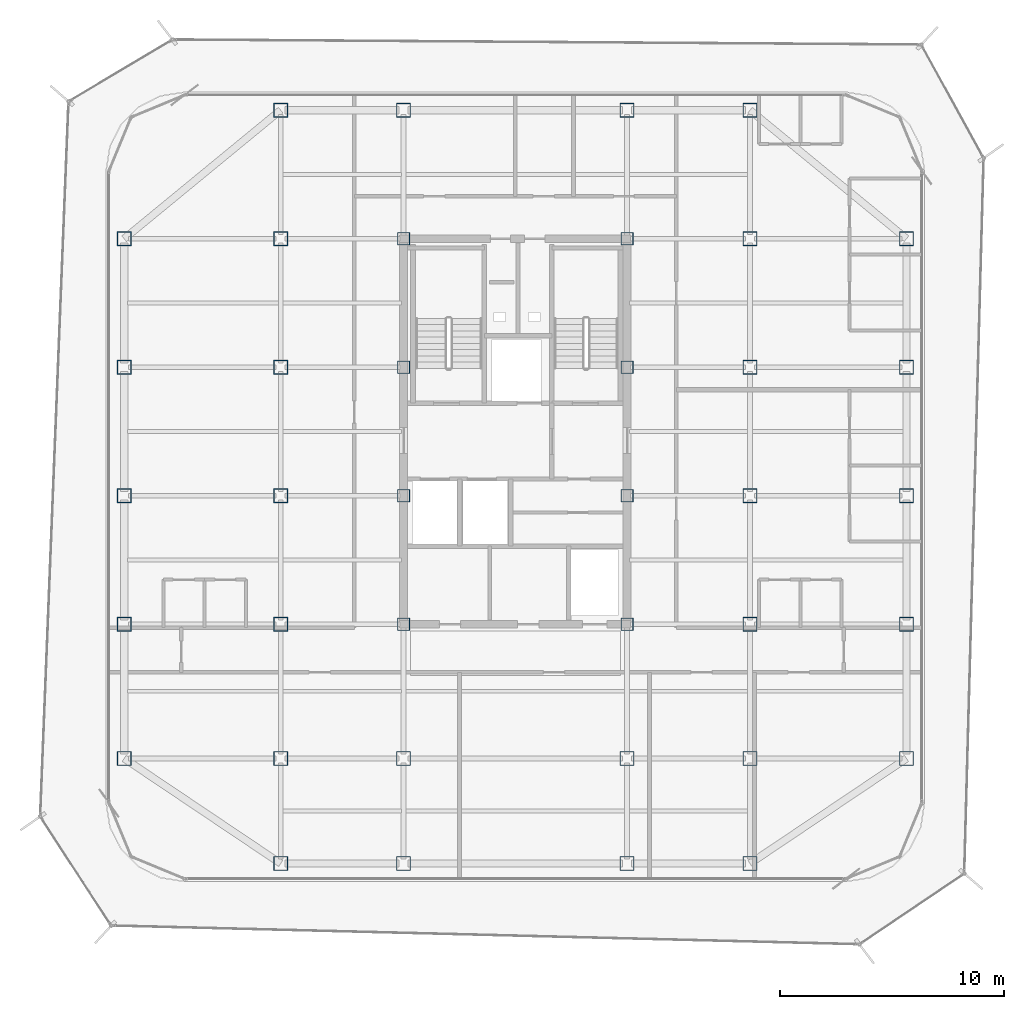
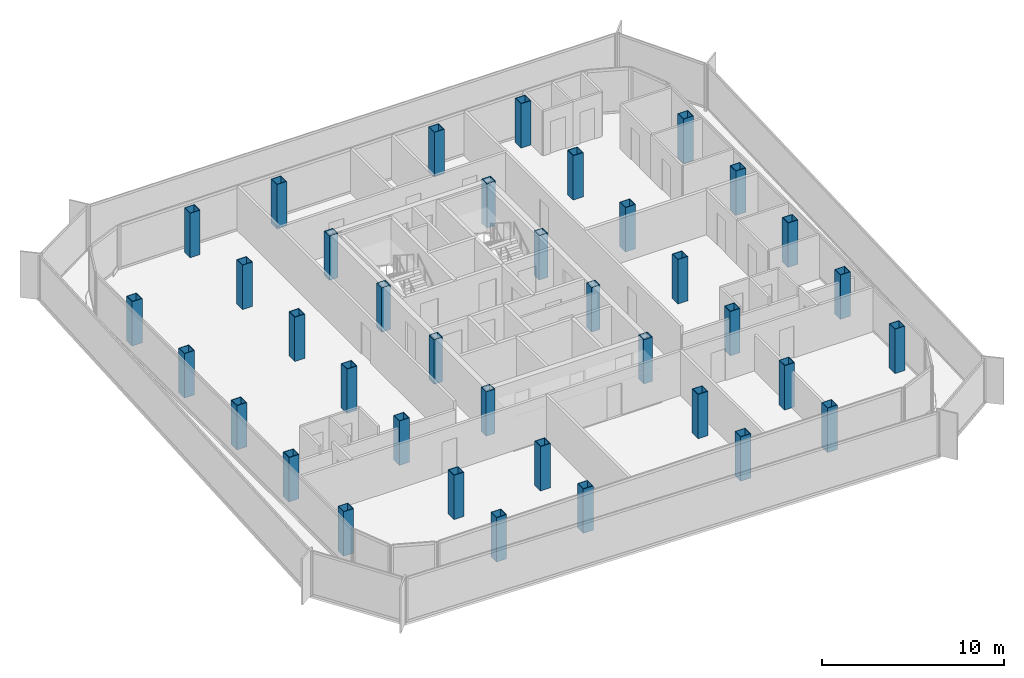
# One storey, part 1 of 15: 38 columns.
"""IFC4 building model written with IfcOpenShell, lengths in metres."""

from ifc_helpers import new_model, si_unit, direction, frame, origin, origin_2d, place, context, subcontext, project, spatial, hollow_rectangle, extrude, source, transform, mapped, material, material_profile, profile_set, type_object, element, save


model = new_model("IFC4")

# Units and contexts
model_context = context("Model", 3, precision=1e-05, world=origin(), true_north=direction((0.0, 1.0)))
body_context = subcontext(model_context, "Body", "Model", "MODEL_VIEW")
ifc_project = project(units=[si_unit("LENGTHUNIT", "METRE"), si_unit("AREAUNIT", "SQUARE_METRE"), si_unit("VOLUMEUNIT", "CUBIC_METRE"), si_unit("PLANEANGLEUNIT", "RADIAN"), si_unit("MASSUNIT", "GRAM", prefix="KILO")], contexts=[model_context])

# Site, building, storey
site_placement = place(None, origin())
site = spatial("IfcSite", under=ifc_project, at=site_placement, CompositionType="ELEMENT")
building_placement = place(site_placement, origin())
building = spatial("IfcBuilding", under=site, at=building_placement, Name="Kolveth Station Tower", CompositionType="ELEMENT")
storey_placement = place(building_placement, frame((0.0, 0.0, 268.10009765625)))
storey = spatial("IfcBuildingStorey", under=building, at=storey_placement, Name="L77", CompositionType="ELEMENT", Elevation=268.10009765625)

# Columns
ifc_material = material(Name="Steel S355", Category="steel")
ifc_material_profile_1 = material_profile(ifc_material, hollow_rectangle(XDim=0.639892578125, YDim=0.639892578125, WallThickness=0.034912109375, at=origin_2d()), Name="BOX640x640x35")
ifc_profile_set_1 = profile_set([ifc_material_profile_1], Name="Steel S355")
column_type_1 = type_object("IfcColumnType", Name="Col_C7", PredefinedType="COLUMN", material=ifc_profile_set_1)
shared_shape_1 = source(origin(), body_context, "Body", "SweptSolid", [
    extrude(hollow_rectangle(XDim=0.639892578125, YDim=0.639892578125, WallThickness=0.034912109375, at=origin_2d()), origin(), (0.0, 0.0, 1.0), 2.97998046875),
])
for number, where, z_axis, x_axis, name in (
    (1, (13.0, 0.800048828125, 0.0), (0.0, 0.0, 1.0), (1.0, 0.0, 0.0), "L77 Tower Column S-X130"),
    (2, (13.0, 34.5, 0.0), (0.0, 0.0, 1.0), (1.0, 0.0, 0.0), "L77 Tower Column N-X130"),
    (3, (18.5, 0.800048828125, 0.0), (0.0, 0.0, 1.0), (1.0, 0.0, 0.0), "L77 Tower Column S-X185"),
    (4, (18.5, 34.5, 0.0), (0.0, 0.0, 1.0), (1.0, 0.0, 0.0), "L77 Tower Column N-X185"),
    (5, (28.5, 0.800048828125, 0.0), (0.0, 0.0, 1.0), (1.0, 0.0, 0.0), "L77 Tower Column S-X285"),
    (6, (28.5, 34.5, 0.0), (0.0, 0.0, 1.0), (1.0, 0.0, 0.0), "L77 Tower Column N-X285"),
    (7, (34.0, 0.800048828125, 0.0), (0.0, 0.0, 1.0), (1.0, 0.0, 0.0), "L77 Tower Column S-X340"),
    (8, (34.0, 34.5, 0.0), (0.0, 0.0, 1.0), (1.0, 0.0, 0.0), "L77 Tower Column N-X340"),
    (9, (6.0, 5.5, 0.0), (0.0, 0.0, 1.0), (1.0, 0.0, 0.0), "L77 Tower Column W-Y55"),
    (10, (41.0, 5.5, 0.0), (0.0, 0.0, 1.0), (1.0, 0.0, 0.0), "L77 Tower Column E-Y55"),
    (11, (6.0, 11.5, 0.0), (0.0, 0.0, 1.0), (1.0, 0.0, 0.0), "L77 Tower Column W-Y115"),
    (12, (41.0, 11.5, 0.0), (0.0, 0.0, 1.0), (1.0, 0.0, 0.0), "L77 Tower Column E-Y115"),
    (13, (6.0, 17.25, 0.0), (0.0, 0.0, 1.0), (1.0, 0.0, 0.0), "L77 Tower Column W-Y172"),
    (14, (41.0, 17.25, 0.0), (0.0, 0.0, 1.0), (1.0, 0.0, 0.0), "L77 Tower Column E-Y172"),
    (15, (6.0, 23.0, 0.0), (0.0, 0.0, 1.0), (1.0, 0.0, 0.0), "L77 Tower Column W-Y230"),
    (16, (41.0, 23.0, 0.0), (0.0, 0.0, 1.0), (1.0, 0.0, 0.0), "L77 Tower Column E-Y230"),
    (17, (6.0, 28.75, 0.0), (0.0, 0.0, 1.0), (1.0, 0.0, 0.0), "L77 Tower Column W-Y287"),
    (18, (41.0, 28.75, 0.0), (0.0, 0.0, 1.0), (1.0, 0.0, 0.0), "L77 Tower Column E-Y287"),
    (19, (13.0, 5.5, 0.0), (0.0, 0.0, 1.0), (1.0, 0.0, 0.0), "L77 Tower Column G-130-55"),
    (20, (13.0, 11.5, 0.0), (0.0, 0.0, 1.0), (1.0, 0.0, 0.0), "L77 Tower Column G-130-115"),
    (21, (13.0, 17.25, 0.0), (0.0, 0.0, 1.0), (1.0, 0.0, 0.0), "L77 Tower Column G-130-172"),
    (22, (13.0, 23.0, 0.0), (0.0, 0.0, 1.0), (1.0, 0.0, 0.0), "L77 Tower Column G-130-230"),
    (23, (13.0, 28.75, 0.0), (0.0, 0.0, 1.0), (1.0, 0.0, 0.0), "L77 Tower Column G-130-287"),
    (24, (18.5, 5.5, 0.0), (0.0, 0.0, 1.0), (1.0, 0.0, 0.0), "L77 Tower Column G-185-55"),
    (25, (28.5, 5.5, 0.0), (0.0, 0.0, 1.0), (1.0, 0.0, 0.0), "L77 Tower Column G-285-55"),
    (26, (34.0, 5.5, 0.0), (0.0, 0.0, 1.0), (1.0, 0.0, 0.0), "L77 Tower Column G-340-55"),
    (27, (34.0, 11.5, 0.0), (0.0, 0.0, 1.0), (1.0, 0.0, 0.0), "L77 Tower Column G-340-115"),
    (28, (34.0, 17.25, 0.0), (0.0, 0.0, 1.0), (1.0, 0.0, 0.0), "L77 Tower Column G-340-172"),
    (29, (34.0, 23.0, 0.0), (0.0, 0.0, 1.0), (1.0, 0.0, 0.0), "L77 Tower Column G-340-230"),
    (30, (34.0, 28.75, 0.0), (0.0, 0.0, 1.0), (1.0, 0.0, 0.0), "L77 Tower Column G-340-287"),
):
    element("IfcColumn", number, at=place(storey_placement, frame(where, z_axis=z_axis, x_axis=x_axis)), inside=storey, type_object=column_type_1, Name=name, PredefinedType="COLUMN", context=body_context, shape_type="MappedRepresentation", body=[
        mapped(shared_shape_1, transform((0.0, 0.0, 0.0), x_axis=(1.0, 0.0, 0.0), y_axis=(0.0, 1.0, 0.0), z_axis=(0.0, 0.0, 1.0), scale=1.0)),
    ])
ifc_material_profile_2 = material_profile(ifc_material, hollow_rectangle(XDim=0.56005859375, YDim=0.56005859375, WallThickness=0.030029296875, at=origin_2d()), Name="BOX560x560x30")
ifc_profile_set_2 = profile_set([ifc_material_profile_2], Name="Steel S355")
column_type_2 = type_object("IfcColumnType", Name="Col_C8", PredefinedType="COLUMN", material=ifc_profile_set_2)
shared_shape_2 = source(origin(), body_context, "Body", "SweptSolid", [
    extrude(hollow_rectangle(XDim=0.56005859375, YDim=0.56005859375, WallThickness=0.030029296875, at=origin_2d()), origin(), (0.0, 0.0, 1.0), 2.97998046875),
])
for number, where, z_axis, x_axis, name in (
    (31, (18.5, 11.5, 0.0), (0.0, 0.0, 1.0), (1.0, 0.0, 0.0), "L77 Tower Column G-185-115"),
    (32, (18.5, 17.25, 0.0), (0.0, 0.0, 1.0), (1.0, 0.0, 0.0), "L77 Tower Column G-185-172"),
    (33, (18.5, 23.0, 0.0), (0.0, 0.0, 1.0), (1.0, 0.0, 0.0), "L77 Tower Column G-185-230"),
    (34, (18.5, 28.75, 0.0), (0.0, 0.0, 1.0), (1.0, 0.0, 0.0), "L77 Tower Column G-185-287"),
    (35, (28.5, 11.5, 0.0), (0.0, 0.0, 1.0), (1.0, 0.0, 0.0), "L77 Tower Column G-285-115"),
    (36, (28.5, 17.25, 0.0), (0.0, 0.0, 1.0), (1.0, 0.0, 0.0), "L77 Tower Column G-285-172"),
    (37, (28.5, 23.0, 0.0), (0.0, 0.0, 1.0), (1.0, 0.0, 0.0), "L77 Tower Column G-285-230"),
    (38, (28.5, 28.75, 0.0), (0.0, 0.0, 1.0), (1.0, 0.0, 0.0), "L77 Tower Column G-285-287"),
):
    element("IfcColumn", number, at=place(storey_placement, frame(where, z_axis=z_axis, x_axis=x_axis)), inside=storey, type_object=column_type_2, Name=name, PredefinedType="COLUMN", context=body_context, shape_type="MappedRepresentation", body=[
        mapped(shared_shape_2, transform((0.0, 0.0, 0.0), x_axis=(1.0, 0.0, 0.0), y_axis=(0.0, 1.0, 0.0), z_axis=(0.0, 0.0, 1.0), scale=1.0)),
    ])

save(model, "model.ifc")
